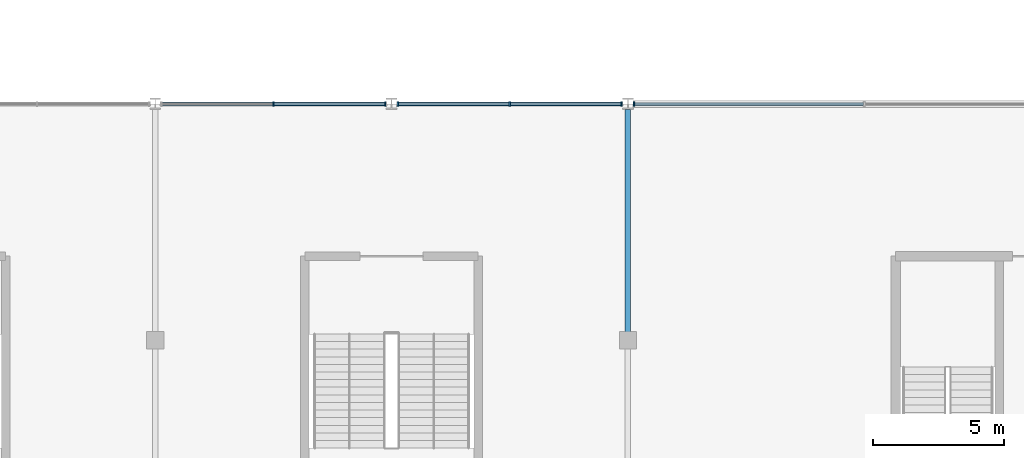
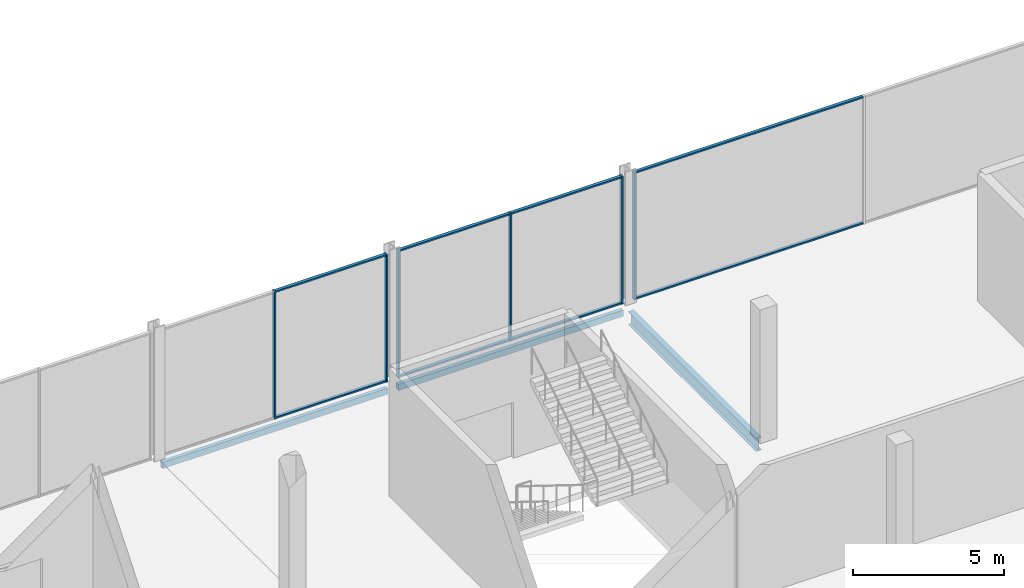
# One storey, part 24 of 111: 14 members, 3 beams, 3 elements without a shape of their own.
"""IFC4 building model written with IfcOpenShell, lengths in metres."""

from ifc_helpers import new_model, si_unit, direction, frame, origin, origin_2d, place, context, subcontext, project, spatial, rectangle, hollow_rectangle, i_section, extrude, material, layer, layer_set, material_profile, profile_set, type_object, element, aggregate, save


model = new_model("IFC4")

# Units and contexts
model_context = context("Model", 3, precision=1e-05, world=origin(), true_north=direction((0.0, 1.0)))
body_context = subcontext(model_context, "Body", "Model", "MODEL_VIEW")
ifc_project = project(units=[si_unit("LENGTHUNIT", "METRE"), si_unit("AREAUNIT", "SQUARE_METRE"), si_unit("VOLUMEUNIT", "CUBIC_METRE"), si_unit("PLANEANGLEUNIT", "RADIAN"), si_unit("MASSUNIT", "GRAM", prefix="KILO")], contexts=[model_context])

# Site, building, storey
site_placement = place(None, origin())
site = spatial("IfcSite", under=ifc_project, at=site_placement, CompositionType="ELEMENT")
building_placement = place(site_placement, origin())
building = spatial("IfcBuilding", under=site, at=building_placement, Name="Kisiwana Market Hall", CompositionType="ELEMENT")
storey_placement = place(building_placement, frame((0.0, 0.0, 11.39990234375)))
storey = spatial("IfcBuildingStorey", under=building, at=storey_placement, Name="L02", CompositionType="ELEMENT", Elevation=11.39990234375)

# Beams
ifc_material_1 = material(Name="Steel S355", Category="steel")
ifc_material_profile_1 = material_profile(ifc_material_1, i_section(OverallWidth=0.209228515625, OverallDepth=0.533203125, WebThickness=0.010009765625, FlangeThickness=0.015625, at=origin_2d()), Name="UB 533x210x92")
ifc_profile_set_1 = profile_set([ifc_material_profile_1], Name="Steel S355")
beam_type_1 = type_object("IfcBeamType", Name="BM-GIRD-UB533", PredefinedType="BEAM", material=ifc_profile_set_1)
beam_placement = place(storey_placement, frame((117.0, 27.321044921875, -0.516357421875), z_axis=(0.0, 1.0, 0.0), x_axis=(-1.0, 0.0, 0.0)))
element("IfcBeam", 1, at=beam_placement, inside=storey, type_object=beam_type_1, Name="Primary girder B-0651", PredefinedType="BEAM", context=body_context, shape_type="SweptSolid", body=[
    extrude(i_section(OverallWidth=0.209228515625, OverallDepth=0.533203125, WebThickness=0.010009765625, FlangeThickness=0.015625, at=origin_2d()), origin(), (0.0, 0.0, 1.0), 8.465576171875),
])
ifc_material_2 = material(Name="Steel S355", Category="steel")
ifc_material_profile_2 = material_profile(ifc_material_2, hollow_rectangle(XDim=0.14990234375, YDim=0.25, WallThickness=0.010009765625, at=origin_2d()), Name="RHS 250x150x10.0")
ifc_profile_set_2 = profile_set([ifc_material_profile_2], Name="Steel S355")
beam_type_2 = type_object("IfcBeamType", Name="BM-SPAN-RHS250", PredefinedType="SPANDREL", material=ifc_profile_set_2)
for number, where, z_axis, x_axis, name in (
    (2, (99.201904296875, 36.0, -0.375), (1.0, 0.0, 0.0), (0.0, 1.0, 0.0), "Floor beam B-0763"),
    (3, (108.201904296875, 36.0, -0.375), (1.0, 0.0, 0.0), (0.0, 1.0, 0.0), "Floor beam B-0764"),
):
    element("IfcBeam", number, at=place(storey_placement, frame(where, z_axis=z_axis, x_axis=x_axis)), inside=storey, type_object=beam_type_2, Name=name, PredefinedType="SPANDREL", context=body_context, shape_type="SweptSolid", body=[
        extrude(hollow_rectangle(XDim=0.14990234375, YDim=0.25, WallThickness=0.010009765625, at=origin_2d()), origin(), (0.0, 0.0, 1.0), 8.59619140625),
    ])

# Curtain wall, members
ifc_material_3 = material(Name="Double-glazed solar-control low-E IGU", Category="glass")
ifc_layer = layer(ifc_material_3, 0.159912109375)
ifc_layer_set = layer_set([ifc_layer], Name="CW-GLD-E-7200")
curtain_wall_type = type_object("IfcCurtainWallType", Name="CW-GLD-E-7200", PredefinedType="USERDEFINED", material=ifc_layer_set)
curtain_wall_1_placement = place(storey_placement, origin())
curtain_wall_1 = element("IfcCurtainWall", 4, at=curtain_wall_1_placement, inside=storey, type_object=curtain_wall_type, Name="Unitised curtain wall CW-067 (L02)", ObjectType="UNITISED CURTAIN WALL", PredefinedType="USERDEFINED")
ifc_material_4 = material(Name="Aluminium alloy 6063-T6", Category="aluminium")
ifc_material_profile_3 = material_profile(ifc_material_4, rectangle(XDim=0.06005859375, YDim=0.159912109375, at=origin_2d()), Name="ALU MULLION 60x160")
ifc_profile_set_3 = profile_set([ifc_material_profile_3], Name="Aluminium alloy 6063-T6")
member_type_1 = type_object("IfcMemberType", Name="CW-MULL-60x160", PredefinedType="MULLION", material=ifc_profile_set_3)
member_1_placement = place(storey_placement, frame((103.5, 36.0, 0.0), z_axis=(0.0, 0.0, 1.0), x_axis=(1.0, 0.0, 0.0)))
member_1 = element("IfcMember", 5, at=member_1_placement, type_object=member_type_1, Name="CW-067 mullion 2", PredefinedType="MULLION", context=body_context, shape_type="SweptSolid", body=[
    extrude(rectangle(XDim=0.06005859375, YDim=0.159912109375, at=origin_2d()), origin(), (0.0, 0.0, 1.0), 5.150146484375),
])
member_2_placement = place(storey_placement, frame((107.763916015625, 36.0, 0.0), z_axis=(0.0, 0.0, 1.0), x_axis=(1.0, 0.0, 0.0)))
member_2 = element("IfcMember", 6, at=member_2_placement, type_object=member_type_1, Name="CW-067 mullion 3", PredefinedType="MULLION", context=body_context, shape_type="SweptSolid", body=[
    extrude(rectangle(XDim=0.06005859375, YDim=0.159912109375, at=origin_2d()), origin(), (0.0, 0.0, 1.0), 5.150146484375),
])

curtain_wall_2_placement = place(storey_placement, origin())
curtain_wall_2 = element("IfcCurtainWall", 7, at=curtain_wall_2_placement, inside=storey, type_object=curtain_wall_type, Name="Unitised curtain wall CW-068 (L02)", ObjectType="UNITISED CURTAIN WALL", PredefinedType="USERDEFINED")
member_3_placement = place(storey_placement, frame((108.236083984375, 36.0, 0.0), z_axis=(0.0, 0.0, 1.0), x_axis=(1.0, 0.0, 0.0)))
member_3 = element("IfcMember", 8, at=member_3_placement, type_object=member_type_1, Name="CW-068 mullion 1", PredefinedType="MULLION", context=body_context, shape_type="SweptSolid", body=[
    extrude(rectangle(XDim=0.06005859375, YDim=0.159912109375, at=origin_2d()), origin(), (0.0, 0.0, 1.0), 5.150146484375),
])
member_4_placement = place(storey_placement, frame((112.5, 36.0, 0.0), z_axis=(0.0, 0.0, 1.0), x_axis=(1.0, 0.0, 0.0)))
member_4 = element("IfcMember", 9, at=member_4_placement, type_object=member_type_1, Name="CW-068 mullion 2", PredefinedType="MULLION", context=body_context, shape_type="SweptSolid", body=[
    extrude(rectangle(XDim=0.06005859375, YDim=0.159912109375, at=origin_2d()), origin(), (0.0, 0.0, 1.0), 5.150146484375),
])
member_5_placement = place(storey_placement, frame((116.763916015625, 36.0, 0.0), z_axis=(0.0, 0.0, 1.0), x_axis=(1.0, 0.0, 0.0)))
member_5 = element("IfcMember", 10, at=member_5_placement, type_object=member_type_1, Name="CW-068 mullion 3", PredefinedType="MULLION", context=body_context, shape_type="SweptSolid", body=[
    extrude(rectangle(XDim=0.06005859375, YDim=0.159912109375, at=origin_2d()), origin(), (0.0, 0.0, 1.0), 5.150146484375),
])

# Curtain wall, member
curtain_wall_3_placement = place(storey_placement, origin())
curtain_wall_3 = element("IfcCurtainWall", 11, at=curtain_wall_3_placement, inside=storey, type_object=curtain_wall_type, Name="Unitised curtain wall CW-069 (L02)", ObjectType="UNITISED CURTAIN WALL", PredefinedType="USERDEFINED")
member_6_placement = place(storey_placement, frame((117.236083984375, 36.0, 0.0), z_axis=(0.0, 0.0, 1.0), x_axis=(1.0, 0.0, 0.0)))
member_6 = element("IfcMember", 12, at=member_6_placement, type_object=member_type_1, Name="CW-069 mullion 1", PredefinedType="MULLION", context=body_context, shape_type="SweptSolid", body=[
    extrude(rectangle(XDim=0.06005859375, YDim=0.159912109375, at=origin_2d()), origin(), (0.0, 0.0, 1.0), 5.150146484375),
])

# Member
ifc_material_5 = material(Name="Aluminium alloy 6063-T6", Category="aluminium")
ifc_material_profile_4 = material_profile(ifc_material_5, rectangle(XDim=0.1201171875, YDim=0.06005859375, at=origin_2d()), Name="ALU TRANSOM 60x120")
ifc_profile_set_4 = profile_set([ifc_material_profile_4], Name="Aluminium alloy 6063-T6")
member_type_2 = type_object("IfcMemberType", Name="CW-TRAN-60x120", PredefinedType="USERDEFINED", material=ifc_profile_set_4)
member_7_placement = place(storey_placement, frame((103.530029296875, 36.0, 0.030029296875), z_axis=(1.0, 0.0, 0.0), x_axis=(0.0, 1.0, 0.0)))
member_7 = element("IfcMember", 13, at=member_7_placement, type_object=member_type_2, Name="CW-067 transom 2.1", ObjectType="TRANSOM", PredefinedType="USERDEFINED", context=body_context, shape_type="SweptSolid", body=[
    extrude(rectangle(XDim=0.1201171875, YDim=0.06005859375, at=origin_2d()), origin(), (0.0, 0.0, 1.0), 4.203857421875),
])

member_8_placement = place(storey_placement, frame((103.530029296875, 36.0, 5.1201171875), z_axis=(1.0, 0.0, 0.0), x_axis=(0.0, 1.0, 0.0)))
member_8 = element("IfcMember", 14, at=member_8_placement, type_object=member_type_2, Name="CW-067 transom 2.2", ObjectType="TRANSOM", PredefinedType="USERDEFINED", context=body_context, shape_type="SweptSolid", body=[
    extrude(rectangle(XDim=0.1201171875, YDim=0.06005859375, at=origin_2d()), origin(), (0.0, 0.0, 1.0), 4.203857421875),
])

aggregate(curtain_wall_1, [member_1, member_2, member_7, member_8])

member_9_placement = place(storey_placement, frame((108.26611328125, 36.0, 0.030029296875), z_axis=(1.0, 0.0, 0.0), x_axis=(0.0, 1.0, 0.0)))
member_9 = element("IfcMember", 15, at=member_9_placement, type_object=member_type_2, Name="CW-068 transom 1.1", ObjectType="TRANSOM", PredefinedType="USERDEFINED", context=body_context, shape_type="SweptSolid", body=[
    extrude(rectangle(XDim=0.1201171875, YDim=0.06005859375, at=origin_2d()), origin(), (0.0, 0.0, 1.0), 4.203857421875),
])

member_10_placement = place(storey_placement, frame((108.26611328125, 36.0, 5.1201171875), z_axis=(1.0, 0.0, 0.0), x_axis=(0.0, 1.0, 0.0)))
member_10 = element("IfcMember", 16, at=member_10_placement, type_object=member_type_2, Name="CW-068 transom 1.2", ObjectType="TRANSOM", PredefinedType="USERDEFINED", context=body_context, shape_type="SweptSolid", body=[
    extrude(rectangle(XDim=0.1201171875, YDim=0.06005859375, at=origin_2d()), origin(), (0.0, 0.0, 1.0), 4.203857421875),
])

member_11_placement = place(storey_placement, frame((112.530029296875, 36.0, 0.030029296875), z_axis=(1.0, 0.0, 0.0), x_axis=(0.0, 1.0, 0.0)))
member_11 = element("IfcMember", 17, at=member_11_placement, type_object=member_type_2, Name="CW-068 transom 2.1", ObjectType="TRANSOM", PredefinedType="USERDEFINED", context=body_context, shape_type="SweptSolid", body=[
    extrude(rectangle(XDim=0.1201171875, YDim=0.06005859375, at=origin_2d()), origin(), (0.0, 0.0, 1.0), 4.203857421875),
])

member_12_placement = place(storey_placement, frame((112.530029296875, 36.0, 5.1201171875), z_axis=(1.0, 0.0, 0.0), x_axis=(0.0, 1.0, 0.0)))
member_12 = element("IfcMember", 18, at=member_12_placement, type_object=member_type_2, Name="CW-068 transom 2.2", ObjectType="TRANSOM", PredefinedType="USERDEFINED", context=body_context, shape_type="SweptSolid", body=[
    extrude(rectangle(XDim=0.1201171875, YDim=0.06005859375, at=origin_2d()), origin(), (0.0, 0.0, 1.0), 4.203857421875),
])

aggregate(curtain_wall_2, [member_3, member_4, member_5, member_9, member_10, member_11, member_12])

member_13_placement = place(storey_placement, frame((117.26611328125, 36.0, 0.030029296875), z_axis=(1.0, 0.0, 0.0), x_axis=(0.0, 1.0, 0.0)))
member_13 = element("IfcMember", 19, at=member_13_placement, type_object=member_type_2, Name="CW-069 transom 1.1", ObjectType="TRANSOM", PredefinedType="USERDEFINED", context=body_context, shape_type="SweptSolid", body=[
    extrude(rectangle(XDim=0.1201171875, YDim=0.06005859375, at=origin_2d()), origin(), (0.0, 0.0, 1.0), 8.703857421875),
])

member_14_placement = place(storey_placement, frame((117.26611328125, 36.0, 5.1201171875), z_axis=(1.0, 0.0, 0.0), x_axis=(0.0, 1.0, 0.0)))
member_14 = element("IfcMember", 20, at=member_14_placement, type_object=member_type_2, Name="CW-069 transom 1.2", ObjectType="TRANSOM", PredefinedType="USERDEFINED", context=body_context, shape_type="SweptSolid", body=[
    extrude(rectangle(XDim=0.1201171875, YDim=0.06005859375, at=origin_2d()), origin(), (0.0, 0.0, 1.0), 8.703857421875),
])

aggregate(curtain_wall_3, [member_6, member_13, member_14])

save(model, "model.ifc")
